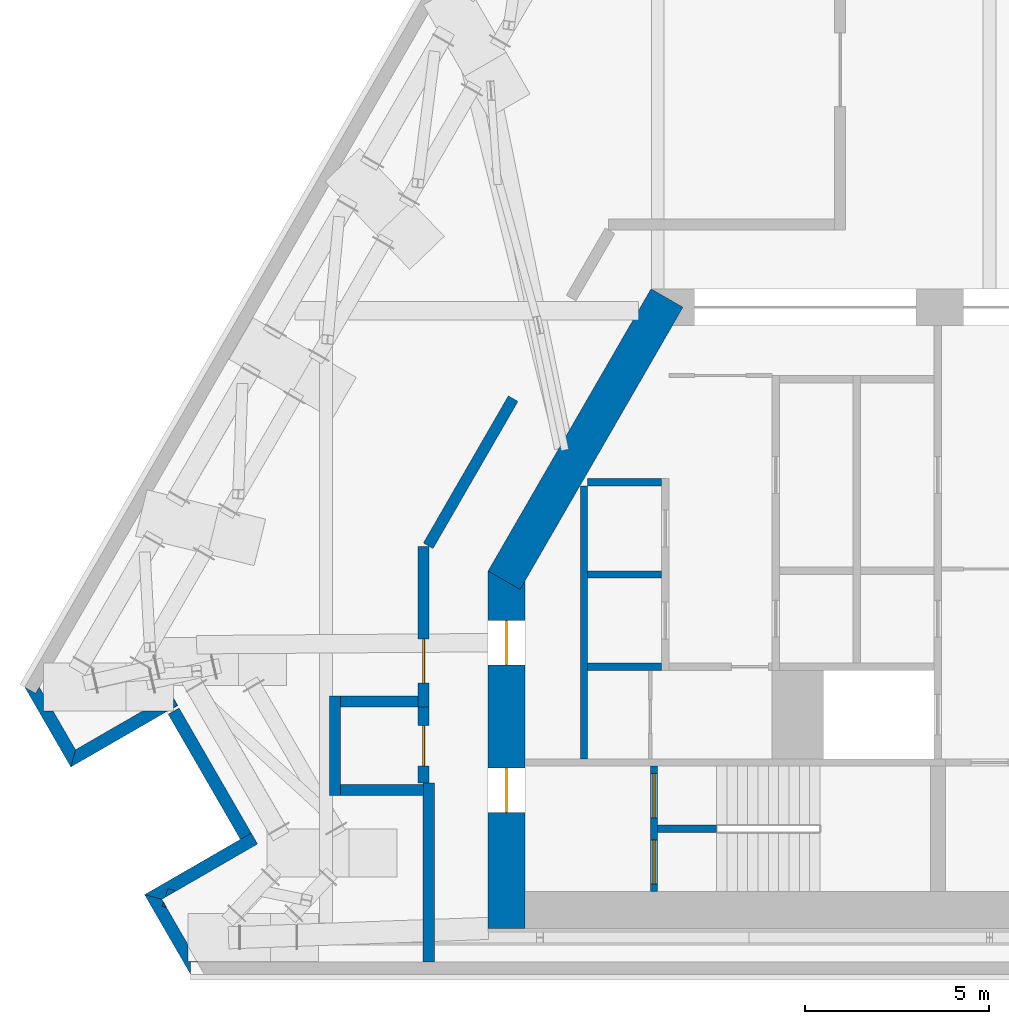
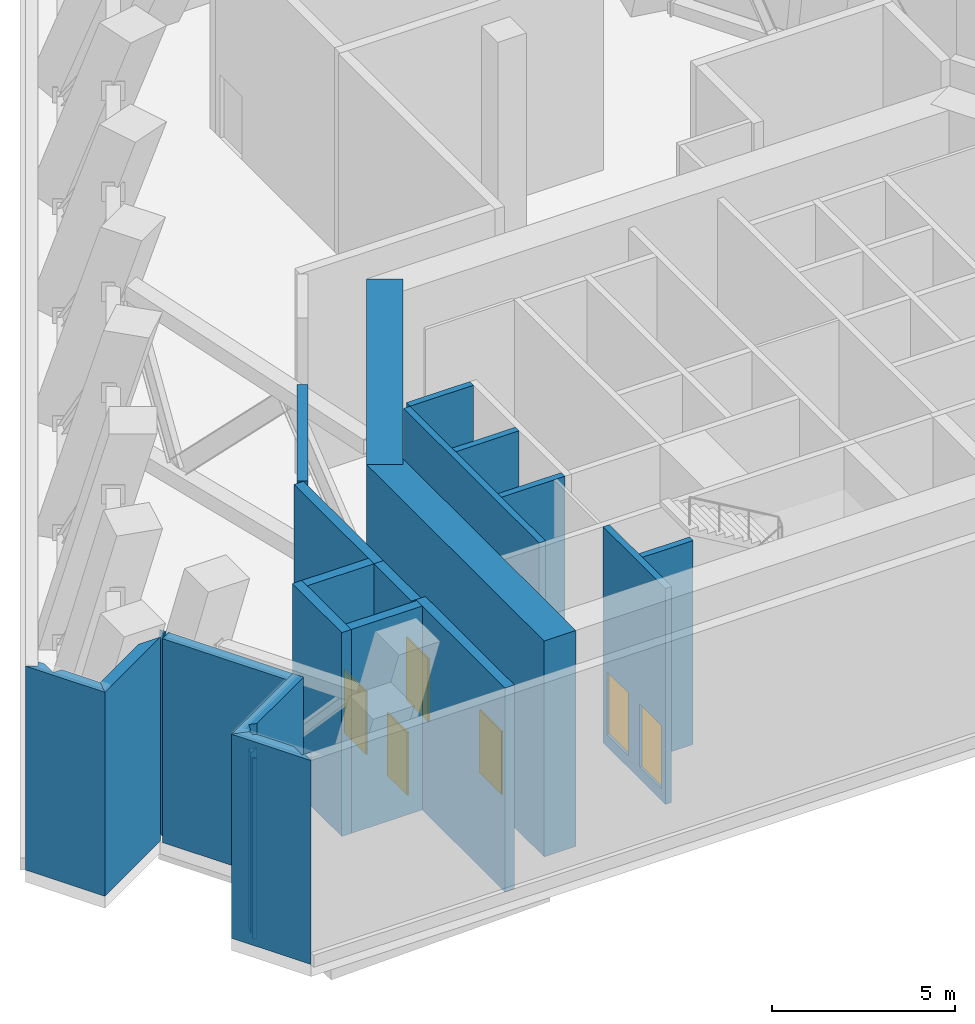
# One storey, part 4 of 13: 23 walls, 6 doors, 6 openings.
"""IFC4 building model written with IfcOpenShell, lengths in metres."""

from ifc_helpers import new_model, si_unit, direction, frame, frame_2d, origin, place, context, subcontext, project, spatial, polyline, rectangle, outline, extrude, material, layer, layer_set, type_object, element, fill, save


model = new_model("IFC4")

# Units and contexts
model_context = context("Model", 3, precision=1e-05, world=origin(), true_north=direction((0.0, 1.0)))
body_context = subcontext(model_context, "Body", "Model", "MODEL_VIEW")
ifc_project = project(units=[si_unit("LENGTHUNIT", "METRE"), si_unit("AREAUNIT", "SQUARE_METRE"), si_unit("VOLUMEUNIT", "CUBIC_METRE"), si_unit("PLANEANGLEUNIT", "RADIAN"), si_unit("MASSUNIT", "GRAM", prefix="KILO")], contexts=[model_context])

# Site, building, storey
site_placement = place(None, origin())
site = spatial("IfcSite", under=ifc_project, at=site_placement, CompositionType="ELEMENT")
building_placement = place(site_placement, origin())
building = spatial("IfcBuilding", under=site, at=building_placement, Name="Fogline Exchange Tower", CompositionType="ELEMENT")
storey_placement = place(building_placement, frame((0.0, 0.0, 259.5)))
storey = spatial("IfcBuildingStorey", under=building, at=storey_placement, Name="L59", CompositionType="ELEMENT", Elevation=259.5)

# Walls
ifc_material_1 = material(Name="Concrete C40", Category="concrete")
ifc_layer_1 = layer(ifc_material_1, 0.199951171875)
ifc_layer_set_1 = layer_set([ifc_layer_1], Name="CW20")
wall_type_1 = type_object("IfcWallType", Name="CW20", PredefinedType="SOLIDWALL", material=ifc_layer_set_1)
wall_1_placement = place(storey_placement, frame((-11.0, 5.85009765625, 0.0), z_axis=(0.0, 0.0, 1.0), x_axis=(0.0, 1.0, 0.0)))
element("IfcWall", 1, at=wall_1_placement, inside=storey, type_object=wall_type_1, Name="Service room wall", PredefinedType="SOLIDWALL", context=body_context, shape_type="SweptSolid", body=[
    extrude(rectangle(XDim=7.39990234375, YDim=0.199951171875, at=frame_2d((3.699951171875, 0.0))), origin(), (0.0, 0.0, 1.0), 6.800048828125),
])
wall_2_placement = place(storey_placement, frame((-10.89990234375, 10.85009765625, 0.0), z_axis=(0.0, 0.0, 1.0), x_axis=(1.0, 0.0, 0.0)))
element("IfcWall", 2, at=wall_2_placement, inside=storey, type_object=wall_type_1, Name="Service room wall", PredefinedType="SOLIDWALL", context=body_context, shape_type="SweptSolid", body=[
    extrude(rectangle(XDim=2.0, YDim=0.199951171875, at=frame_2d((1.0, 0.0))), origin(), (0.0, 0.0, 1.0), 6.800048828125),
])
ifc_layer_2 = layer(ifc_material_1, 0.199951171875)
ifc_layer_set_2 = layer_set([ifc_layer_2], Name="CW20B")
wall_type_2 = type_object("IfcWallType", Name="CW20B", PredefinedType="SOLIDWALL", material=ifc_layer_set_2)
wall_3_placement = place(storey_placement, frame((-9.0, 3.949951171875, 0.0), z_axis=(0.0, 0.0, 1.0), x_axis=(1.0, 0.0, 0.0)))
element("IfcWall", 3, at=wall_3_placement, inside=storey, type_object=wall_type_2, Name="Stair separation wall", PredefinedType="SOLIDWALL", context=body_context, shape_type="SweptSolid", body=[
    extrude(rectangle(XDim=1.60009765625, YDim=0.199951171875, at=frame_2d((0.800048828125, 0.0))), origin(), (0.0, 0.0, 1.0), 6.800048828125),
])

# Wall, openings, doors
ifc_layer_3 = layer(ifc_material_1, 0.199951171875)
ifc_layer_set_3 = layer_set([ifc_layer_3], Name="CW20R")
wall_type_3 = type_object("IfcWallType", Name="CW20R", PredefinedType="SOLIDWALL", material=ifc_layer_set_3)
wall_4_placement = place(storey_placement, frame((-9.10009765625, 2.25, -0.39990234375), z_axis=(0.0, 0.0, 1.0), x_axis=(0.0, 1.0, 0.0)))
wall_4 = element("IfcWall", 4, at=wall_4_placement, inside=storey, type_object=wall_type_3, Name="Stair enclosure wall", PredefinedType="SOLIDWALL", context=body_context, shape_type="SweptSolid", body=[
    extrude(rectangle(XDim=3.39990234375, YDim=0.199951171875, at=frame_2d((1.699951171875, 0.0))), origin(), (0.0, 0.0, 1.0), 7.199951171875),
])
opening_1_placement = place(wall_4_placement, frame((0.199951171875, 0.0, 0.39990234375)))
opening_1 = element("IfcOpeningElement", 5, at=opening_1_placement, cuts=wall_4, Name="Opening L59-C013", PredefinedType="OPENING", context=body_context, shape_type="SweptSolid", body=[
    extrude(rectangle(XDim=1.199951171875, YDim=2.10009765625, at=frame_2d((0.60009765625, 1.050048828125))), frame((0.0, 0.10986328125, 0.0), z_axis=(0.0, -1.0, 0.0), x_axis=(1.0, 0.0, 0.0)), (0.0, 0.0, 1.0), 0.219970703125),
])
opening_2_placement = place(wall_4_placement, frame((2.0, 0.0, 0.39990234375)))
opening_2 = element("IfcOpeningElement", 6, at=opening_2_placement, cuts=wall_4, Name="Opening L59-C025", PredefinedType="OPENING", context=body_context, shape_type="SweptSolid", body=[
    extrude(rectangle(XDim=1.199951171875, YDim=2.10009765625, at=frame_2d((0.60009765625, 1.050048828125))), frame((0.0, 0.10986328125, 0.0), z_axis=(0.0, -1.0, 0.0), x_axis=(1.0, 0.0, 0.0)), (0.0, 0.0, 1.0), 0.219970703125),
])
ifc_material_2 = material(Name="Steel and timber fire door", Category="steel")
door_type_1 = type_object("IfcDoorType", Name="D-ST1", OperationType="SINGLE_SWING_LEFT", PredefinedType="DOOR", material=ifc_material_2)
door_1_placement = place(opening_1_placement, frame((1.199951171875, 0.0, 0.0), z_axis=(0.0, 0.0, 1.0), x_axis=(-1.0, 0.0, 0.0)))
door_1 = element("IfcDoor", 7, at=door_1_placement, inside=storey, type_object=door_type_1, Name="Stair door ST1", OperationType="SINGLE_SWING_RIGHT", OverallHeight=2.10009765625, OverallWidth=1.199951171875, PredefinedType="DOOR", context=body_context, shape_type="SweptSolid", body=[
    extrude(rectangle(XDim=1.199951171875, YDim=2.10009765625, at=frame_2d((0.60009765625, 1.050048828125))), frame((0.0, 0.02490234375, 0.0), z_axis=(0.0, -1.0, 0.0), x_axis=(1.0, 0.0, 0.0)), (0.0, 0.0, 1.0), 0.050048828125),
])
fill(opening_1, door_1)
door_2_placement = place(opening_2_placement, origin())
door_2 = element("IfcDoor", 8, at=door_2_placement, inside=storey, type_object=door_type_1, Name="Stair arrival door ST1", OperationType="SINGLE_SWING_RIGHT", OverallHeight=2.10009765625, OverallWidth=1.199951171875, PredefinedType="DOOR", context=body_context, shape_type="SweptSolid", body=[
    extrude(rectangle(XDim=1.199951171875, YDim=2.10009765625, at=frame_2d((0.60009765625, 1.050048828125))), frame((0.0, 0.02490234375, 0.0), z_axis=(0.0, -1.0, 0.0), x_axis=(1.0, 0.0, 0.0)), (0.0, 0.0, 1.0), 0.050048828125),
])
fill(opening_2, door_2)

# Walls
ifc_layer_4 = layer(ifc_material_1, 0.199951171875)
ifc_layer_set_4 = layer_set([ifc_layer_4], Name="CW20S")
wall_type_4 = type_object("IfcWallType", Name="CW20S", PredefinedType="SOLIDWALL", material=ifc_layer_set_4)
for number, where, z_axis, x_axis, name in (
    (9, (-10.89990234375, 8.35009765625, -0.39990234375), (0.0, 0.0, 1.0), (1.0, 0.0, 0.0), "Lift shaft wall"),
    (10, (-10.89990234375, 13.35009765625, -0.39990234375), (0.0, 0.0, 1.0), (1.0, 0.0, 0.0), "Lift shaft wall"),
):
    element("IfcWall", number, at=place(storey_placement, frame(where, z_axis=z_axis, x_axis=x_axis)), inside=storey, type_object=wall_type_4, Name=name, PredefinedType="SOLIDWALL", context=body_context, shape_type="SweptSolid", body=[
        extrude(rectangle(XDim=2.0, YDim=0.199951171875, at=frame_2d((1.0, 0.0))), origin(), (0.0, 0.0, 1.0), 7.199951171875),
    ])
ifc_material_3 = material(Name="Brick masonry", Category="masonry")
ifc_layer_5 = layer(ifc_material_3, 0.340087890625)
ifc_layer_set_5 = layer_set([ifc_layer_5], Name="FW3")
wall_type_5 = type_object("IfcWallType", Name="FW3", PredefinedType="SOLIDWALL", material=ifc_layer_set_5)
wall_5_placement = place(storey_placement, origin())
element("IfcWall", 11, at=wall_5_placement, inside=storey, type_object=wall_type_5, Name="Brick wall L59 SW-c1", PredefinedType="SOLIDWALL", context=body_context, shape_type="SweptSolid", body=[
    extrude(outline(polyline([(-24.91943359375, 5.6279296875), (-26.17041015625, 7.794921875), (-26.169921875, 7.79541015625), (-25.875244140625, 7.625), (-25.77685546875, 7.79541015625), (-25.664794921875, 7.601318359375), (-25.664794921875, 7.144287109375), (-25.40087890625, 7.144287109375), (-24.794189453125, 6.09375), (-24.9189453125, 5.6279296875), (-24.91943359375, 5.6279296875)])), origin(), (0.0, 0.0, 1.0), 6.800048828125),
])
wall_6_placement = place(storey_placement, origin())
element("IfcWall", 12, at=wall_6_placement, inside=storey, type_object=wall_type_5, Name="Brick wall L59 SW-s1", PredefinedType="SOLIDWALL", context=body_context, shape_type="SweptSolid", body=[
    extrude(outline(polyline([(-22.976318359375, 7.144287109375), (-22.2939453125, 7.144287109375), (-22.321044921875, 7.128662109375), (-24.919921875, 5.628173828125), (-24.920166015625, 5.62841796875), (-24.79541015625, 6.093994140625), (-22.976318359375, 7.144287109375)])), origin(), (0.0, 0.0, 1.0), 6.800048828125),
])
wall_7_placement = place(storey_placement, origin())
element("IfcWall", 13, at=wall_7_placement, inside=storey, type_object=wall_type_5, Name="Brick wall L59 SW-s1", PredefinedType="SOLIDWALL", context=body_context, shape_type="SweptSolid", body=[
    extrude(outline(polyline([(-22.026123046875, 7.298828125), (-22.13037109375, 7.23876953125), (-22.13037109375, 7.4794921875), (-22.026123046875, 7.298828125)])), origin(), (0.0, 0.0, 1.0), 6.800048828125),
])
wall_8_placement = place(storey_placement, frame((-22.1328125, 7.142822265625, 0.0), z_axis=(0.0, 0.0, 1.0), x_axis=(0.499979589489, -0.866037187478, 0.0)))
element("IfcWall", 14, at=wall_8_placement, inside=storey, type_object=wall_type_5, Name="Brick wall L59 SW-bk", PredefinedType="SOLIDWALL", context=body_context, shape_type="SweptSolid", body=[
    extrude(rectangle(XDim=3.917724609375, YDim=0.340087890625, at=frame_2d((1.958984375, 0.0))), origin(), (0.0, 0.0, 1.0), 6.800048828125),
])
wall_9_placement = place(storey_placement, origin())
element("IfcWall", 15, at=wall_9_placement, inside=storey, type_object=wall_type_5, Name="Brick wall L59 SW-s2", PredefinedType="SOLIDWALL", context=body_context, shape_type="SweptSolid", body=[
    extrude(outline(polyline([(-22.36376953125, 2.092529296875), (-22.2890625, 2.33203125), (-22.068115234375, 2.26318359375), (-22.36376953125, 2.092529296875)])), origin(), (0.0, 0.0, 1.0), 6.0),
])
wall_10_placement = place(storey_placement, origin())
element("IfcWall", 16, at=wall_10_placement, inside=storey, type_object=wall_type_5, Name="Brick wall L59 SW-s2", PredefinedType="SOLIDWALL", context=body_context, shape_type="SweptSolid", body=[
    extrude(outline(polyline([(-20.321533203125, 3.66552734375), (-20.026611328125, 3.8359375), (-19.85595703125, 3.540283203125), (-22.068115234375, 2.26318359375), (-22.2890625, 2.33203125), (-22.36376953125, 2.092529296875), (-22.454833984375, 2.0400390625), (-22.92041015625, 2.164794921875), (-22.920654296875, 2.1650390625), (-20.321533203125, 3.66552734375)])), origin(), (0.0, 0.0, 1.0), 6.800048828125),
])
wall_11_placement = place(storey_placement, origin())
element("IfcWall", 17, at=wall_11_placement, inside=storey, type_object=wall_type_5, Name="Brick wall L59 SW-c2", PredefinedType="SOLIDWALL", context=body_context, shape_type="SweptSolid", body=[
    extrude(outline(polyline([(-22.326904296875, 1.820068359375), (-22.43798828125, 1.854736328125), (-22.406005859375, 1.95703125), (-22.326904296875, 1.820068359375)])), origin(), (0.0, 0.0, 1.0), 6.0),
])
wall_12_placement = place(storey_placement, origin())
element("IfcWall", 18, at=wall_12_placement, inside=storey, type_object=wall_type_5, Name="Brick wall L59 SW-c2", PredefinedType="SOLIDWALL", context=body_context, shape_type="SweptSolid", body=[
    extrude(outline(polyline([(-21.741943359375, 0.35009765625), (-21.47802734375, 0.35009765625), (-21.471923828125, 0.33935546875), (-21.668701171875, 0.33935546875), (-21.668701171875, -0.0009765625), (-21.66943359375, -0.001220703125), (-22.92041015625, 2.165771484375), (-22.920166015625, 2.166015625), (-22.45458984375, 2.041015625), (-22.406005859375, 1.95703125), (-22.43798828125, 1.854736328125), (-22.326904296875, 1.820068359375), (-21.741943359375, 0.80712890625), (-21.741943359375, 0.35009765625)])), origin(), (0.0, 0.0, 1.0), 6.800048828125),
])
ifc_layer_6 = layer(ifc_material_1, 0.300048828125)
ifc_layer_set_6 = layer_set([ifc_layer_6], Name="PP4")
wall_type_6 = type_object("IfcWallType", Name="PP4", PredefinedType="SOLIDWALL", material=ifc_layer_set_6)
wall_13_placement = place(storey_placement, frame((-15.2109375, 0.340087890625, 0.0), z_axis=(0.0, 0.0, 1.0), x_axis=(0.0, 1.0, 0.0)))
element("IfcWall", 19, at=wall_13_placement, inside=storey, type_object=wall_type_6, Name="PP4 partition", PredefinedType="SOLIDWALL", context=body_context, shape_type="SweptSolid", body=[
    extrude(rectangle(XDim=4.85888671875, YDim=0.300048828125, at=frame_2d((2.429443359375, 0.0))), origin(), (0.0, 0.0, 1.0), 6.800048828125),
])
wall_14_placement = place(storey_placement, frame((-15.22607421875, 11.62890625, 0.0), z_axis=(0.0, 0.0, 1.0), x_axis=(0.49997925212, 0.866037382247, 0.0)))
element("IfcWall", 20, at=wall_14_placement, inside=storey, type_object=wall_type_6, Name="PP4 partition", PredefinedType="SOLIDWALL", context=body_context, shape_type="SweptSolid", body=[
    extrude(rectangle(XDim=4.608642578125, YDim=0.300048828125, at=frame_2d((2.30419921875, 0.0))), origin(), (0.0, 0.0, 1.0), 6.800048828125),
])

# Wall, opening, door
wall_15_placement = place(storey_placement, frame((-15.35009765625, 7.25, 0.0), z_axis=(0.0, 0.0, 1.0), x_axis=(0.0, 1.0, 0.0)))
wall_15 = element("IfcWall", 21, at=wall_15_placement, inside=storey, type_object=wall_type_6, Name="PP4 partition", PredefinedType="SOLIDWALL", context=body_context, shape_type="SweptSolid", body=[
    extrude(rectangle(XDim=4.364013671875, YDim=0.300048828125, at=frame_2d((2.18212890625, 0.0))), origin(), (0.0, 0.0, 1.0), 6.800048828125),
])
opening_3_placement = place(wall_15_placement, frame((0.64990234375, 0.0, 0.0)))
opening_3 = element("IfcOpeningElement", 22, at=opening_3_placement, cuts=wall_15, Name="Opening L59-D004", PredefinedType="OPENING", context=body_context, shape_type="SweptSolid", body=[
    extrude(rectangle(XDim=1.199951171875, YDim=2.10009765625, at=frame_2d((0.60009765625, 1.050048828125))), frame((0.0, 0.16015625, 0.0), z_axis=(0.0, -1.0, 0.0), x_axis=(1.0, 0.0, 0.0)), (0.0, 0.0, 1.0), 0.320068359375),
])
ifc_material_4 = material(Name="Steel Q235B", Category="steel")
door_type_2 = type_object("IfcDoorType", Name="PD7", OperationType="SINGLE_SWING_LEFT", PredefinedType="DOOR", material=ifc_material_4)
door_3_placement = place(opening_3_placement, frame((1.199951171875, 0.0, 0.0), z_axis=(0.0, 0.0, 1.0), x_axis=(-1.0, 0.0, 0.0)))
door_3 = element("IfcDoor", 23, at=door_3_placement, inside=storey, type_object=door_type_2, Name="L59-D004", OperationType="SINGLE_SWING_RIGHT", OverallHeight=2.10009765625, OverallWidth=1.199951171875, PredefinedType="DOOR", context=body_context, shape_type="SweptSolid", body=[
    extrude(rectangle(XDim=1.199951171875, YDim=2.10009765625, at=frame_2d((0.60009765625, 1.050048828125))), frame((0.0, 0.02490234375, 0.0), z_axis=(0.0, -1.0, 0.0), x_axis=(1.0, 0.0, 0.0)), (0.0, 0.0, 1.0), 0.050048828125),
])
fill(opening_3, door_3)

# Walls
wall_16_placement = place(storey_placement, frame((-17.75, 4.85009765625, 0.0), z_axis=(0.0, 0.0, 1.0), x_axis=(0.0, 1.0, 0.0)))
element("IfcWall", 24, at=wall_16_placement, inside=storey, type_object=wall_type_6, Name="PP4 partition", PredefinedType="SOLIDWALL", context=body_context, shape_type="SweptSolid", body=[
    extrude(rectangle(XDim=2.699951171875, YDim=0.300048828125, at=frame_2d((1.35009765625, 0.0))), origin(), (0.0, 0.0, 1.0), 6.800048828125),
])
wall_17_placement = place(storey_placement, frame((-15.360107421875, 5.0, 0.0), z_axis=(0.0, 0.0, 1.0), x_axis=(-1.0, 0.0, 0.0)))
element("IfcWall", 25, at=wall_17_placement, inside=storey, type_object=wall_type_6, Name="PP4 partition", PredefinedType="SOLIDWALL", context=body_context, shape_type="SweptSolid", body=[
    extrude(rectangle(XDim=2.239990234375, YDim=0.300048828125, at=frame_2d((1.1201171875, 0.0))), origin(), (0.0, 0.0, 1.0), 6.800048828125),
])
wall_18_placement = place(storey_placement, frame((-17.60009765625, 7.39990234375, 0.0), z_axis=(0.0, 0.0, 1.0), x_axis=(1.0, 0.0, 0.0)))
element("IfcWall", 26, at=wall_18_placement, inside=storey, type_object=wall_type_6, Name="PP4 partition", PredefinedType="SOLIDWALL", context=body_context, shape_type="SweptSolid", body=[
    extrude(rectangle(XDim=2.10009765625, YDim=0.300048828125, at=frame_2d((1.050048828125, 0.0))), origin(), (0.0, 0.0, 1.0), 6.800048828125),
])

# Wall, opening, door
wall_19_placement = place(storey_placement, frame((-15.35009765625, 5.198974609375, 0.0), z_axis=(0.0, 0.0, 1.0), x_axis=(0.0, 1.0, 0.0)))
wall_19 = element("IfcWall", 27, at=wall_19_placement, inside=storey, type_object=wall_type_6, Name="PP4 partition", PredefinedType="SOLIDWALL", context=body_context, shape_type="SweptSolid", body=[
    extrude(rectangle(XDim=2.051025390625, YDim=0.300048828125, at=frame_2d((1.025390625, 0.0))), origin(), (0.0, 0.0, 1.0), 6.800048828125),
])
opening_4_placement = place(wall_19_placement, frame((0.450927734375, 0.0, 0.0)))
opening_4 = element("IfcOpeningElement", 28, at=opening_4_placement, cuts=wall_19, Name="Opening L59-D002", PredefinedType="OPENING", context=body_context, shape_type="SweptSolid", body=[
    extrude(rectangle(XDim=1.10009765625, YDim=2.10009765625, at=frame_2d((0.550048828125, 1.050048828125))), frame((0.0, 0.16015625, 0.0), z_axis=(0.0, -1.0, 0.0), x_axis=(1.0, 0.0, 0.0)), (0.0, 0.0, 1.0), 0.320068359375),
])
door_type_3 = type_object("IfcDoorType", Name="PD5", OperationType="SINGLE_SWING_LEFT", PredefinedType="DOOR", material=ifc_material_4)
door_4_placement = place(opening_4_placement, origin())
door_4 = element("IfcDoor", 29, at=door_4_placement, inside=storey, type_object=door_type_3, Name="L59-D002", OperationType="SINGLE_SWING_LEFT", OverallHeight=2.10009765625, OverallWidth=1.10009765625, PredefinedType="DOOR", context=body_context, shape_type="SweptSolid", body=[
    extrude(rectangle(XDim=1.10009765625, YDim=2.10009765625, at=frame_2d((0.550048828125, 1.050048828125))), frame((0.0, 0.02490234375, 0.0), z_axis=(0.0, -1.0, 0.0), x_axis=(1.0, 0.0, 0.0)), (0.0, 0.0, 1.0), 0.050048828125),
])
fill(opening_4, door_4)

# Wall
ifc_material_5 = material(Name="Concrete C60", Category="concrete")
ifc_layer_7 = layer(ifc_material_5, 1.0)
ifc_layer_set_7 = layer_set([ifc_layer_7], Name="SW03")
wall_type_7 = type_object("IfcWallType", Name="SW03", PredefinedType="SHEAR", material=ifc_layer_set_7)
wall_20_placement = place(storey_placement, frame((-8.74755859375, 18.35009765625, 0.0), z_axis=(0.0, 0.0, 1.0), x_axis=(-0.499995021168, -0.866028278295, 0.0)))
element("IfcWall", 30, at=wall_20_placement, inside=storey, type_object=wall_type_7, Name="L59-W905", PredefinedType="SHEAR", context=body_context, shape_type="SweptSolid", body=[
    extrude(rectangle(XDim=8.8388671875, YDim=1.0, at=frame_2d((4.41943359375, 0.0))), origin(), (0.0, 0.0, 1.0), 7.199951171875),
])

# Wall, openings, doors
wall_21_placement = place(storey_placement, frame((-13.10009765625, 10.9453125, 0.0), z_axis=(0.0, 0.0, 1.0), x_axis=(0.0, -1.0, 0.0)))
wall_21 = element("IfcWall", 31, at=wall_21_placement, inside=storey, type_object=wall_type_7, Name="L59-W906", PredefinedType="SHEAR", context=body_context, shape_type="SweptSolid", body=[
    extrude(rectangle(XDim=9.6953125, YDim=1.0, at=frame_2d((4.84765625, 0.0))), origin(), (0.0, 0.0, 1.0), 7.199951171875),
])
opening_5_placement = place(wall_21_placement, frame((5.345458984375, 0.0, 0.0)))
opening_5 = element("IfcOpeningElement", 32, at=opening_5_placement, cuts=wall_21, Name="Opening L59-C012", PredefinedType="OPENING", context=body_context, shape_type="SweptSolid", body=[
    extrude(rectangle(XDim=1.199951171875, YDim=2.10009765625, at=frame_2d((0.60009765625, 1.050048828125))), frame((0.0, 0.510009765625, 0.0), z_axis=(0.0, -1.0, 0.0), x_axis=(1.0, 0.0, 0.0)), (0.0, 0.0, 1.0), 1.02001953125),
])
opening_6_placement = place(wall_21_placement, frame((1.345458984375, 0.0, 0.0)))
opening_6 = element("IfcOpeningElement", 33, at=opening_6_placement, cuts=wall_21, Name="Opening L59-C014", PredefinedType="OPENING", context=body_context, shape_type="SweptSolid", body=[
    extrude(rectangle(XDim=1.199951171875, YDim=2.10009765625, at=frame_2d((0.60009765625, 1.050048828125))), frame((0.0, 0.510009765625, 0.0), z_axis=(0.0, -1.0, 0.0), x_axis=(1.0, 0.0, 0.0)), (0.0, 0.0, 1.0), 1.02001953125),
])
door_type_4 = type_object("IfcDoorType", Name="D-FR1", OperationType="SINGLE_SWING_RIGHT", PredefinedType="DOOR", material=ifc_material_2)
door_5_placement = place(opening_5_placement, origin())
door_5 = element("IfcDoor", 34, at=door_5_placement, inside=storey, type_object=door_type_4, Name="Front room door ST1", OperationType="SINGLE_SWING_LEFT", OverallHeight=2.10009765625, OverallWidth=1.199951171875, PredefinedType="DOOR", context=body_context, shape_type="SweptSolid", body=[
    extrude(rectangle(XDim=1.199951171875, YDim=2.10009765625, at=frame_2d((0.60009765625, 1.050048828125))), frame((0.0, 0.02490234375, 0.0), z_axis=(0.0, -1.0, 0.0), x_axis=(1.0, 0.0, 0.0)), (0.0, 0.0, 1.0), 0.050048828125),
])
fill(opening_5, door_5)
door_type_5 = type_object("IfcDoorType", Name="D-SV1", OperationType="SINGLE_SWING_LEFT", PredefinedType="DOOR", material=ifc_material_2)
door_6_placement = place(opening_6_placement, origin())
door_6 = element("IfcDoor", 35, at=door_6_placement, inside=storey, type_object=door_type_5, Name="Service door W", OperationType="SINGLE_SWING_LEFT", OverallHeight=2.10009765625, OverallWidth=1.199951171875, PredefinedType="DOOR", context=body_context, shape_type="SweptSolid", body=[
    extrude(rectangle(XDim=1.199951171875, YDim=2.10009765625, at=frame_2d((0.60009765625, 1.050048828125))), frame((0.0, 0.02490234375, 0.0), z_axis=(0.0, -1.0, 0.0), x_axis=(1.0, 0.0, 0.0)), (0.0, 0.0, 1.0), 0.050048828125),
])
fill(opening_6, door_6)

save(model, "model.ifc")
